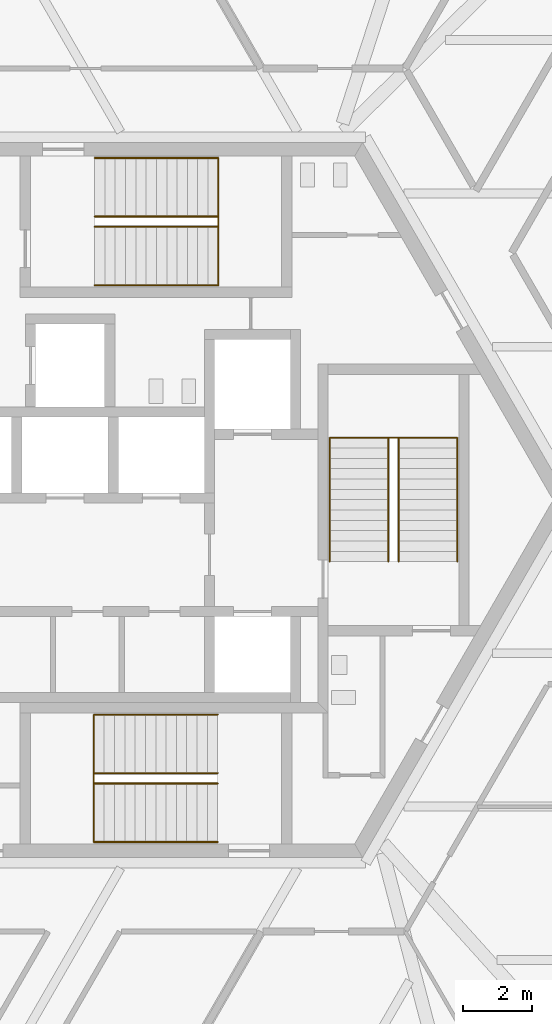
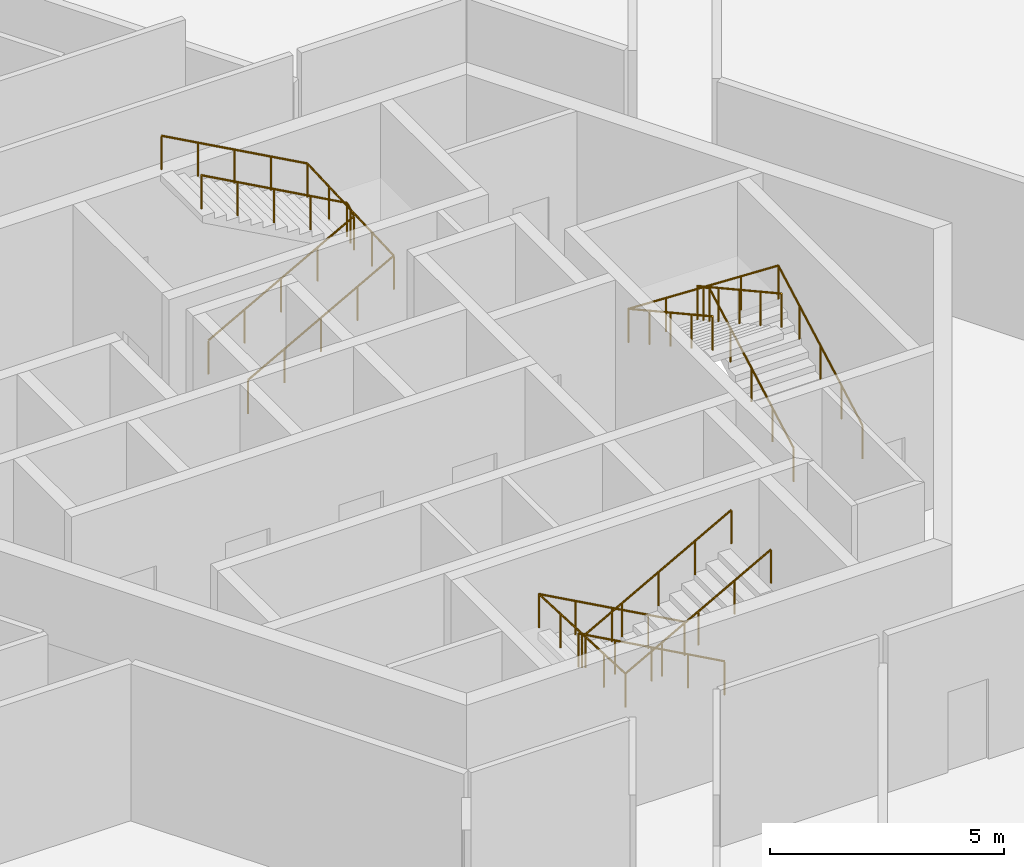
# One storey, part 15 of 16: 6 railings.
"""IFC4 building model written with IfcOpenShell, lengths in metres."""

import ifcopenshell
import ifcopenshell.guid

model = None  # the IFC model being written
_history = None  # IfcOwnerHistory: only IFC2X3 demands one
_inside = {}  # id of a spatial element -> (the spatial element, [elements in it])
_under = {}  # id of a project, library or spatial element -> (it, [spatial elements below it])
_declared = {}  # id of a project -> (the project, [libraries it declares])
_typed = {}  # id of a type object -> (the type object, [elements of that type])
_made_of = {}  # id of a material, layer set ... -> (it, [elements and type objects made of it])


def new_model(schema):
    """Start an empty IFC model of exactly this schema.

    Asked for "IFC4X3", IfcOpenShell would pick the latest addendum, in which some entities
    have other attributes; the version numbers below select the first issue.
    IFC2X3 requires an IfcOwnerHistory on every rooted entity: one is made here for all.
    """
    global model, _history
    if schema == "IFC4X3":
        model = ifcopenshell.file(schema_version=(4, 3, 0, 0))
    else:
        model = ifcopenshell.file(schema=schema)
    _inside.clear()
    _under.clear()
    _declared.clear()
    _typed.clear()
    _made_of.clear()
    _history = None
    if model.schema == "IFC2X3":
        org = make("IfcOrganization", Name="unknown")
        user = make(
            "IfcPersonAndOrganization",
            ThePerson=make("IfcPerson", FamilyName="unknown"),
            TheOrganization=org,
        )
        app = make(
            "IfcApplication",
            ApplicationDeveloper=org,
            Version="unknown",
            ApplicationFullName="unknown",
            ApplicationIdentifier="unknown",
        )
        _history = make(
            "IfcOwnerHistory",
            OwningUser=user,
            OwningApplication=app,
            ChangeAction="ADDED",
            CreationDate=0,
        )
    return model


def make(cls, **values):
    """One entity of the class cls with the attributes given. An attribute that is None is left unset."""
    return model.create_entity(
        cls, **{name: value for name, value in values.items() if value is not None}
    )


def rooted(cls, **values):
    """An entity with a GlobalId (a new one), such as an element, a storey or a relation."""
    return make(cls, GlobalId=ifcopenshell.guid.new(), OwnerHistory=_history, **values)


def si_unit(unit_type, name, prefix=None):
    """IfcSIUnit, for example si_unit("LENGTHUNIT", "METRE", prefix="MILLI")."""
    return make("IfcSIUnit", UnitType=unit_type, Prefix=prefix, Name=name)


def assignment(units):
    """IfcUnitAssignment: the units of a project."""
    return None if units is None else make("IfcUnitAssignment", Units=units)


def point(xyz):
    """IfcCartesianPoint."""
    return None if xyz is None else make("IfcCartesianPoint", Coordinates=xyz)


def direction(xyz):
    """IfcDirection."""
    return None if xyz is None else make("IfcDirection", DirectionRatios=xyz)


def frame(location, z_axis=None, x_axis=None):
    """IfcAxis2Placement3D, a coordinate frame: its origin and axes. An axis left out is left unset."""
    return make(
        "IfcAxis2Placement3D",
        Location=point(location),
        Axis=direction(z_axis),
        RefDirection=direction(x_axis),
    )


def frame_2d(location, x_axis=None):
    """IfcAxis2Placement2D, a coordinate frame in the plane: its origin and x axis."""
    return make(
        "IfcAxis2Placement2D", Location=point(location), RefDirection=direction(x_axis)
    )


def origin():
    """The frame at (0, 0, 0) with its axes left unset."""
    return frame((0.0, 0.0, 0.0))


def origin_2d():
    """The frame at (0, 0) in the plane with its x axis left unset."""
    return frame_2d((0.0, 0.0))


def place(relative_to, where):
    """IfcLocalPlacement: puts the frame where relative to a parent placement (None: the world)."""
    return make(
        "IfcLocalPlacement", PlacementRelTo=relative_to, RelativePlacement=where
    )


def context(
    kind, dimensions, precision=None, world=None, true_north=None, identifier=None
):
    """IfcGeometricRepresentationContext, for example the 3D "Model" context."""
    return make(
        "IfcGeometricRepresentationContext",
        ContextIdentifier=identifier,
        ContextType=kind,
        CoordinateSpaceDimension=dimensions,
        Precision=precision,
        WorldCoordinateSystem=world,
        TrueNorth=true_north,
    )


def subcontext(parent, identifier, kind, view, scale=None):
    """IfcGeometricRepresentationSubContext, for example "Body" below "Model"."""
    return make(
        "IfcGeometricRepresentationSubContext",
        ContextIdentifier=identifier,
        ContextType=kind,
        ParentContext=parent,
        TargetScale=scale,
        TargetView=view,
    )


def project(units=None, contexts=None):
    """IfcProject with its units and contexts."""
    return rooted(
        "IfcProject",
        Name="project",
        RepresentationContexts=contexts,
        UnitsInContext=assignment(units),
    )


def spatial(cls, under=None, at=None, **own):
    """A site, building, storey or space (cls), placed at a placement, below another one or the project."""
    s = rooted(cls, ObjectPlacement=at, **own)
    if under is not None:
        _under.setdefault(under.id(), (under, []))[1].append(s)
    return s


def profile(cls, at=None, kind="AREA", **sizes):
    """A parametric profile (cls). Its sizes go by their IFC names, for example OverallWidth=200.0."""
    return make(cls, ProfileType=kind, Position=at, **sizes)


def circle(**sizes):
    """IfcCircleProfileDef."""
    return profile("IfcCircleProfileDef", **sizes)


def extrude(swept, where, along, depth):
    """IfcExtrudedAreaSolid: the profile swept, set in the frame where, extruded along a direction by depth."""
    return make(
        "IfcExtrudedAreaSolid",
        SweptArea=swept,
        Position=where,
        ExtrudedDirection=direction(along),
        Depth=depth,
    )


def shape(context_of_items, identifier, shape_type, items):
    """IfcShapeRepresentation: the items that make up one representation, for example the "Body"."""
    return make(
        "IfcShapeRepresentation",
        ContextOfItems=context_of_items,
        RepresentationIdentifier=identifier,
        RepresentationType=shape_type,
        Items=items,
    )


def source(mapping_origin, context_of_items, identifier, shape_type, items):
    """IfcRepresentationMap: a shape defined once, which mapped items show again and again."""
    return make(
        "IfcRepresentationMap",
        MappingOrigin=mapping_origin,
        MappedRepresentation=shape(context_of_items, identifier, shape_type, items),
    )


def transform(
    local_origin,
    x_axis=None,
    y_axis=None,
    z_axis=None,
    scale=None,
    scale2=None,
    scale3=None,
    uniform=True,
):
    """IfcCartesianTransformationOperator3D, or its non-uniform kind. x_axis, y_axis, z_axis: its Axis1, 2, 3."""
    if uniform:
        return make(
            "IfcCartesianTransformationOperator3D",
            Axis1=direction(x_axis),
            Axis2=direction(y_axis),
            LocalOrigin=point(local_origin),
            Scale=scale,
            Axis3=direction(z_axis),
        )
    return make(
        "IfcCartesianTransformationOperator3DnonUniform",
        Axis1=direction(x_axis),
        Axis2=direction(y_axis),
        LocalOrigin=point(local_origin),
        Scale=scale,
        Axis3=direction(z_axis),
        Scale2=scale2,
        Scale3=scale3,
    )


def mapped(mapping_source, mapping_target):
    """IfcMappedItem: shows the shape of a source again, moved by a transform."""
    return make(
        "IfcMappedItem", MappingSource=mapping_source, MappingTarget=mapping_target
    )


def material(Name=None, Category=None):
    """IfcMaterial."""
    return make("IfcMaterial", Name=Name, Category=Category)


def made_of(thing, what):
    """Note that an element or type object is made of a material, layer set ...; save() writes the relation."""
    if what is not None:
        _made_of.setdefault(what.id(), (what, []))[1].append(thing)
    return thing


def type_object(cls, material=None, **own):
    """A type object (cls), such as IfcWallType, which elements share."""
    return made_of(rooted(cls, **own), material)


def element(
    cls,
    number,
    at=None,
    inside=None,
    cuts=None,
    type_object=None,
    material=None,
    context=None,
    identifier="Body",
    shape_type=None,
    held_by="IfcProductDefinitionShape",
    body=None,
    shapes=None,
    **own,
):
    """One element of the class cls, such as IfcWall. Its Tag is "e" and its number.

    at: its placement. inside: the storey or other place that contains it. cuts: it is an
    opening in that element (IfcRelVoidsElement). A single representation is given by context,
    identifier, shape_type and body (its items); several are given by shapes. held_by: the class
    of the entity that holds the representations. save() writes the other relations.
    """
    e = rooted(cls, Tag="e%d" % number, ObjectPlacement=at, **own)
    if body is not None:
        shapes = [shape(context, identifier, shape_type, body)]
    if shapes is not None:
        e.Representation = make(held_by, Representations=shapes)
    if inside is not None:
        _inside.setdefault(inside.id(), (inside, []))[1].append(e)
    if cuts is not None:
        rooted(
            "IfcRelVoidsElement", RelatingBuildingElement=cuts, RelatedOpeningElement=e
        )
    if type_object is not None:
        _typed.setdefault(type_object.id(), (type_object, []))[1].append(e)
    return made_of(e, material)


def aggregate(whole, parts):
    """IfcRelAggregates: a whole, such as a stair, and the parts it consists of."""
    return rooted("IfcRelAggregates", RelatingObject=whole, RelatedObjects=parts)


def save(model, path):
    """Write the relations noted so far, then the file.

    IfcRelAggregates (storeys below a building ...), IfcRelContainedInSpatialStructure (elements
    in a storey), IfcRelDefinesByType, IfcRelAssociatesMaterial and IfcRelDeclares: one each for
    every whole, place, type object, material and project.
    """
    for whole, parts in _under.values():
        aggregate(whole, parts)
    for where, things in _inside.values():
        rooted(
            "IfcRelContainedInSpatialStructure",
            RelatedElements=things,
            RelatingStructure=where,
        )
    for kind, things in _typed.values():
        rooted("IfcRelDefinesByType", RelatedObjects=things, RelatingType=kind)
    for what, things in _made_of.values():
        rooted("IfcRelAssociatesMaterial", RelatedObjects=things, RelatingMaterial=what)
    for by, libraries in _declared.values():
        rooted("IfcRelDeclares", RelatingContext=by, RelatedDefinitions=libraries)
    model.write(path)


model = new_model("IFC4")

# Units and contexts
model_context = context("Model", 3, precision=1e-05, world=origin(), true_north=direction((0.0, 1.0)))
body_context = subcontext(model_context, "Body", "Model", "MODEL_VIEW")
ifc_project = project(units=[si_unit("LENGTHUNIT", "METRE"), si_unit("AREAUNIT", "SQUARE_METRE"), si_unit("VOLUMEUNIT", "CUBIC_METRE"), si_unit("PLANEANGLEUNIT", "RADIAN"), si_unit("MASSUNIT", "GRAM", prefix="KILO")], contexts=[model_context])

# Site, building, storey
site_placement = place(None, origin())
site = spatial("IfcSite", under=ifc_project, at=site_placement, CompositionType="ELEMENT")
building_placement = place(site_placement, origin())
building = spatial("IfcBuilding", under=site, at=building_placement, Name="Triune Harvest Tower", CompositionType="ELEMENT")
storey_placement = place(building_placement, frame((0.0, 0.0, 20.300048828125)))
storey = spatial("IfcBuildingStorey", under=building, at=storey_placement, Name="L04", CompositionType="ELEMENT", Elevation=20.300048828125)

# Railings
ifc_material = material(Name="Stainless steel AISI 316", Category="steel")
railing_type = type_object("IfcRailingType", Name="Stair handrail", PredefinedType="HANDRAIL", material=ifc_material)
shared_shape_1 = source(origin(), body_context, "Body", "SweptSolid", [
    extrude(circle(Radius=0.02392578125, at=origin_2d()), frame((0.0, 0.0, 0.8759765625), z_axis=(0.875746539262, 0.0, 0.482771166259), x_axis=(0.0, 1.0, 0.0)), (0.0, 0.0, 1.0), 4.11083984375),
    extrude(circle(Radius=0.02392578125, at=origin_2d()), frame((3.60009765625, 0.0, 2.8603515625), z_axis=(0.0, 0.999000768331, 0.04469300699), x_axis=(-1.0, 0.0, 0.0)), (0.0, 0.0, 1.0), 3.70361328125),
    extrude(circle(Radius=0.02392578125, at=origin_2d()), frame((3.60009765625, 3.699951171875, 3.02587890625), z_axis=(-0.875746539262, 0.0, 0.482771166259), x_axis=(0.0, -1.0, 0.0)), (0.0, 0.0, 1.0), 4.11083984375),
    extrude(circle(Radius=0.02099609375, at=origin_2d()), origin(), (0.0, 0.0, 1.0), 0.851806640625),
    extrude(circle(Radius=0.02099609375, at=origin_2d()), frame((0.89990234375, 0.0, 0.49609375)), (0.0, 0.0, 1.0), 0.851806640625),
    extrude(circle(Radius=0.02099609375, at=origin_2d()), frame((1.800048828125, 0.0, 0.9921875)), (0.0, 0.0, 1.0), 0.851806640625),
    extrude(circle(Radius=0.02099609375, at=origin_2d()), frame((2.7001953125, 0.0, 1.488525390625)), (0.0, 0.0, 1.0), 0.851806640625),
    extrude(circle(Radius=0.02099609375, at=origin_2d()), frame((3.60009765625, 0.0, 1.984619140625)), (0.0, 0.0, 1.0), 0.851806640625),
    extrude(circle(Radius=0.02099609375, at=origin_2d()), frame((3.60009765625, 0.925048828125, 2.02587890625)), (0.0, 0.0, 1.0), 0.851806640625),
    extrude(circle(Radius=0.02099609375, at=origin_2d()), frame((3.60009765625, 1.85009765625, 2.0673828125)), (0.0, 0.0, 1.0), 0.851806640625),
    extrude(circle(Radius=0.02099609375, at=origin_2d()), frame((3.60009765625, 2.77490234375, 2.10888671875)), (0.0, 0.0, 1.0), 0.851806640625),
    extrude(circle(Radius=0.02099609375, at=origin_2d()), frame((3.60009765625, 3.699951171875, 2.150146484375)), (0.0, 0.0, 1.0), 0.851806640625),
    extrude(circle(Radius=0.02099609375, at=origin_2d()), frame((2.7001953125, 3.699951171875, 2.646240234375)), (0.0, 0.0, 1.0), 0.851806640625),
    extrude(circle(Radius=0.02099609375, at=origin_2d()), frame((1.800048828125, 3.699951171875, 3.142578125)), (0.0, 0.0, 1.0), 0.851806640625),
    extrude(circle(Radius=0.02099609375, at=origin_2d()), frame((0.89990234375, 3.699951171875, 3.638671875)), (0.0, 0.0, 1.0), 0.851806640625),
    extrude(circle(Radius=0.02099609375, at=origin_2d()), frame((0.0, 3.699951171875, 4.134765625)), (0.0, 0.0, 1.0), 0.851806640625),
])
railing_1_placement = place(storey_placement, frame((-1.7900390625, 6.239990234375, 0.165283203125)))
element("IfcRailing", 1, at=railing_1_placement, inside=storey, type_object=railing_type, Name="Exit stair north wall handrail", PredefinedType="HANDRAIL", context=body_context, shape_type="MappedRepresentation", body=[
    mapped(shared_shape_1, transform((0.0, 0.0, 0.0), scale=1.0)),
])
shared_shape_2 = source(origin(), body_context, "Body", "SweptSolid", [
    extrude(circle(Radius=0.02392578125, at=origin_2d()), frame((0.0, 0.0, 0.8759765625), z_axis=(0.875746539262, 0.0, 0.482771166259), x_axis=(0.0, 1.0, 0.0)), (0.0, 0.0, 1.0), 4.11083984375),
    extrude(circle(Radius=0.02392578125, at=origin_2d()), frame((3.60009765625, 0.0, 2.8603515625), z_axis=(0.0, 0.875598465653, 0.483039674298), x_axis=(-1.0, 0.0, 0.0)), (0.0, 0.0, 1.0), 0.3427734375),
    extrude(circle(Radius=0.02392578125, at=origin_2d()), frame((3.60009765625, 0.300048828125, 3.02587890625), z_axis=(-0.875746539262, 0.0, 0.482771166259), x_axis=(0.0, -1.0, 0.0)), (0.0, 0.0, 1.0), 4.11083984375),
    extrude(circle(Radius=0.02099609375, at=origin_2d()), origin(), (0.0, 0.0, 1.0), 0.851806640625),
    extrude(circle(Radius=0.02099609375, at=origin_2d()), frame((0.89990234375, 0.0, 0.49609375)), (0.0, 0.0, 1.0), 0.851806640625),
    extrude(circle(Radius=0.02099609375, at=origin_2d()), frame((1.800048828125, 0.0, 0.9921875)), (0.0, 0.0, 1.0), 0.851806640625),
    extrude(circle(Radius=0.02099609375, at=origin_2d()), frame((2.7001953125, 0.0, 1.488525390625)), (0.0, 0.0, 1.0), 0.851806640625),
    extrude(circle(Radius=0.02099609375, at=origin_2d()), frame((3.60009765625, 0.0, 1.984619140625)), (0.0, 0.0, 1.0), 0.851806640625),
    extrude(circle(Radius=0.02099609375, at=origin_2d()), frame((3.60009765625, 0.300048828125, 2.150146484375)), (0.0, 0.0, 1.0), 0.851806640625),
    extrude(circle(Radius=0.02099609375, at=origin_2d()), frame((2.7001953125, 0.300048828125, 2.646240234375)), (0.0, 0.0, 1.0), 0.851806640625),
    extrude(circle(Radius=0.02099609375, at=origin_2d()), frame((1.800048828125, 0.300048828125, 3.142578125)), (0.0, 0.0, 1.0), 0.851806640625),
    extrude(circle(Radius=0.02099609375, at=origin_2d()), frame((0.89990234375, 0.300048828125, 3.638671875)), (0.0, 0.0, 1.0), 0.851806640625),
    extrude(circle(Radius=0.02099609375, at=origin_2d()), frame((0.0, 0.300048828125, 4.134765625)), (0.0, 0.0, 1.0), 0.851806640625),
])
railing_2_placement = place(storey_placement, frame((-1.7900390625, 7.93994140625, 0.165283203125)))
element("IfcRailing", 2, at=railing_2_placement, inside=storey, type_object=railing_type, Name="Exit stair north centre handrail", PredefinedType="HANDRAIL", context=body_context, shape_type="MappedRepresentation", body=[
    mapped(shared_shape_2, transform((0.0, 0.0, 0.0), scale=1.0)),
])
shared_shape_3 = source(origin(), body_context, "Body", "SweptSolid", [
    extrude(circle(Radius=0.02392578125, at=origin_2d()), frame((0.0, 0.0, 0.8759765625), z_axis=(-0.875746539262, 0.0, 0.482771166259), x_axis=(0.0, -1.0, 0.0)), (0.0, 0.0, 1.0), 4.11083984375),
    extrude(circle(Radius=0.02392578125, at=origin_2d()), frame((-3.60009765625, 0.0, 2.8603515625), z_axis=(0.0, -0.999000768331, 0.04469300699), x_axis=(1.0, 0.0, 0.0)), (0.0, 0.0, 1.0), 3.70361328125),
    extrude(circle(Radius=0.02392578125, at=origin_2d()), frame((-3.60009765625, -3.699951171875, 3.02587890625), z_axis=(0.875746539262, 0.0, 0.482771166259), x_axis=(0.0, 1.0, 0.0)), (0.0, 0.0, 1.0), 4.11083984375),
    extrude(circle(Radius=0.02099609375, at=origin_2d()), origin(), (0.0, 0.0, 1.0), 0.851806640625),
    extrude(circle(Radius=0.02099609375, at=origin_2d()), frame((-0.89990234375, 0.0, 0.49609375)), (0.0, 0.0, 1.0), 0.851806640625),
    extrude(circle(Radius=0.02099609375, at=origin_2d()), frame((-1.800048828125, 0.0, 0.9921875)), (0.0, 0.0, 1.0), 0.851806640625),
    extrude(circle(Radius=0.02099609375, at=origin_2d()), frame((-2.7001953125, 0.0, 1.488525390625)), (0.0, 0.0, 1.0), 0.851806640625),
    extrude(circle(Radius=0.02099609375, at=origin_2d()), frame((-3.60009765625, 0.0, 1.984619140625)), (0.0, 0.0, 1.0), 0.851806640625),
    extrude(circle(Radius=0.02099609375, at=origin_2d()), frame((-3.60009765625, -0.925048828125, 2.02587890625)), (0.0, 0.0, 1.0), 0.851806640625),
    extrude(circle(Radius=0.02099609375, at=origin_2d()), frame((-3.60009765625, -1.85009765625, 2.0673828125)), (0.0, 0.0, 1.0), 0.851806640625),
    extrude(circle(Radius=0.02099609375, at=origin_2d()), frame((-3.60009765625, -2.77490234375, 2.10888671875)), (0.0, 0.0, 1.0), 0.851806640625),
    extrude(circle(Radius=0.02099609375, at=origin_2d()), frame((-3.60009765625, -3.699951171875, 2.150146484375)), (0.0, 0.0, 1.0), 0.851806640625),
    extrude(circle(Radius=0.02099609375, at=origin_2d()), frame((-2.7001953125, -3.699951171875, 2.646240234375)), (0.0, 0.0, 1.0), 0.851806640625),
    extrude(circle(Radius=0.02099609375, at=origin_2d()), frame((-1.800048828125, -3.699951171875, 3.142578125)), (0.0, 0.0, 1.0), 0.851806640625),
    extrude(circle(Radius=0.02099609375, at=origin_2d()), frame((-0.89990234375, -3.699951171875, 3.638671875)), (0.0, 0.0, 1.0), 0.851806640625),
    extrude(circle(Radius=0.02099609375, at=origin_2d()), frame((0.0, -3.699951171875, 4.134765625)), (0.0, 0.0, 1.0), 0.851806640625),
])
railing_3_placement = place(storey_placement, frame((1.7900390625, -6.239990234375, 0.165283203125)))
element("IfcRailing", 3, at=railing_3_placement, inside=storey, type_object=railing_type, Name="Exit stair south wall handrail", PredefinedType="HANDRAIL", context=body_context, shape_type="MappedRepresentation", body=[
    mapped(shared_shape_3, transform((0.0, 0.0, 0.0), scale=1.0)),
])
shared_shape_4 = source(origin(), body_context, "Body", "SweptSolid", [
    extrude(circle(Radius=0.02392578125, at=origin_2d()), frame((0.0, 0.0, 0.8759765625), z_axis=(-0.875746539262, 0.0, 0.482771166259), x_axis=(0.0, -1.0, 0.0)), (0.0, 0.0, 1.0), 4.11083984375),
    extrude(circle(Radius=0.02392578125, at=origin_2d()), frame((-3.60009765625, 0.0, 2.8603515625), z_axis=(0.0, -0.875598465653, 0.483039674298), x_axis=(1.0, 0.0, 0.0)), (0.0, 0.0, 1.0), 0.3427734375),
    extrude(circle(Radius=0.02392578125, at=origin_2d()), frame((-3.60009765625, -0.300048828125, 3.02587890625), z_axis=(0.875746539262, 0.0, 0.482771166259), x_axis=(0.0, 1.0, 0.0)), (0.0, 0.0, 1.0), 4.11083984375),
    extrude(circle(Radius=0.02099609375, at=origin_2d()), origin(), (0.0, 0.0, 1.0), 0.851806640625),
    extrude(circle(Radius=0.02099609375, at=origin_2d()), frame((-0.89990234375, 0.0, 0.49609375)), (0.0, 0.0, 1.0), 0.851806640625),
    extrude(circle(Radius=0.02099609375, at=origin_2d()), frame((-1.800048828125, 0.0, 0.9921875)), (0.0, 0.0, 1.0), 0.851806640625),
    extrude(circle(Radius=0.02099609375, at=origin_2d()), frame((-2.7001953125, 0.0, 1.488525390625)), (0.0, 0.0, 1.0), 0.851806640625),
    extrude(circle(Radius=0.02099609375, at=origin_2d()), frame((-3.60009765625, 0.0, 1.984619140625)), (0.0, 0.0, 1.0), 0.851806640625),
    extrude(circle(Radius=0.02099609375, at=origin_2d()), frame((-3.60009765625, -0.300048828125, 2.150146484375)), (0.0, 0.0, 1.0), 0.851806640625),
    extrude(circle(Radius=0.02099609375, at=origin_2d()), frame((-2.7001953125, -0.300048828125, 2.646240234375)), (0.0, 0.0, 1.0), 0.851806640625),
    extrude(circle(Radius=0.02099609375, at=origin_2d()), frame((-1.800048828125, -0.300048828125, 3.142578125)), (0.0, 0.0, 1.0), 0.851806640625),
    extrude(circle(Radius=0.02099609375, at=origin_2d()), frame((-0.89990234375, -0.300048828125, 3.638671875)), (0.0, 0.0, 1.0), 0.851806640625),
    extrude(circle(Radius=0.02099609375, at=origin_2d()), frame((0.0, -0.300048828125, 4.134765625)), (0.0, 0.0, 1.0), 0.851806640625),
])
railing_4_placement = place(storey_placement, frame((1.7900390625, -7.93994140625, 0.165283203125)))
element("IfcRailing", 4, at=railing_4_placement, inside=storey, type_object=railing_type, Name="Exit stair south centre handrail", PredefinedType="HANDRAIL", context=body_context, shape_type="MappedRepresentation", body=[
    mapped(shared_shape_4, transform((0.0, 0.0, 0.0), scale=1.0)),
])
shared_shape_5 = source(origin(), body_context, "Body", "SweptSolid", [
    extrude(circle(Radius=0.02392578125, at=origin_2d()), frame((0.0, 0.0, 0.8759765625), z_axis=(0.0, 0.875746539262, 0.482771166259), x_axis=(-1.0, 0.0, 0.0)), (0.0, 0.0, 1.0), 4.11083984375),
    extrude(circle(Radius=0.02392578125, at=origin_2d()), frame((0.0, 3.60009765625, 2.8603515625), z_axis=(-0.999000768331, 0.0, 0.04469300699), x_axis=(0.0, -1.0, 0.0)), (0.0, 0.0, 1.0), 3.70361328125),
    extrude(circle(Radius=0.02392578125, at=origin_2d()), frame((-3.699951171875, 3.60009765625, 3.02587890625), z_axis=(0.0, -0.875746539262, 0.482771166259), x_axis=(1.0, 0.0, 0.0)), (0.0, 0.0, 1.0), 4.11083984375),
    extrude(circle(Radius=0.02099609375, at=origin_2d()), origin(), (0.0, 0.0, 1.0), 0.851806640625),
    extrude(circle(Radius=0.02099609375, at=origin_2d()), frame((0.0, 0.89990234375, 0.49609375)), (0.0, 0.0, 1.0), 0.851806640625),
    extrude(circle(Radius=0.02099609375, at=origin_2d()), frame((0.0, 1.800048828125, 0.9921875)), (0.0, 0.0, 1.0), 0.851806640625),
    extrude(circle(Radius=0.02099609375, at=origin_2d()), frame((0.0, 2.7001953125, 1.488525390625)), (0.0, 0.0, 1.0), 0.851806640625),
    extrude(circle(Radius=0.02099609375, at=origin_2d()), frame((0.0, 3.60009765625, 1.984619140625)), (0.0, 0.0, 1.0), 0.851806640625),
    extrude(circle(Radius=0.02099609375, at=origin_2d()), frame((-0.925048828125, 3.60009765625, 2.02587890625)), (0.0, 0.0, 1.0), 0.851806640625),
    extrude(circle(Radius=0.02099609375, at=origin_2d()), frame((-1.85009765625, 3.60009765625, 2.0673828125)), (0.0, 0.0, 1.0), 0.851806640625),
    extrude(circle(Radius=0.02099609375, at=origin_2d()), frame((-2.77490234375, 3.60009765625, 2.10888671875)), (0.0, 0.0, 1.0), 0.851806640625),
    extrude(circle(Radius=0.02099609375, at=origin_2d()), frame((-3.699951171875, 3.60009765625, 2.150146484375)), (0.0, 0.0, 1.0), 0.851806640625),
    extrude(circle(Radius=0.02099609375, at=origin_2d()), frame((-3.699951171875, 2.7001953125, 2.646240234375)), (0.0, 0.0, 1.0), 0.851806640625),
    extrude(circle(Radius=0.02099609375, at=origin_2d()), frame((-3.699951171875, 1.800048828125, 3.142578125)), (0.0, 0.0, 1.0), 0.851806640625),
    extrude(circle(Radius=0.02099609375, at=origin_2d()), frame((-3.699951171875, 0.89990234375, 3.638671875)), (0.0, 0.0, 1.0), 0.851806640625),
    extrude(circle(Radius=0.02099609375, at=origin_2d()), frame((-3.699951171875, 0.0, 4.134765625)), (0.0, 0.0, 1.0), 0.851806640625),
])
railing_5_placement = place(storey_placement, frame((8.75, -1.7900390625, 0.165283203125)))
element("IfcRailing", 5, at=railing_5_placement, inside=storey, type_object=railing_type, Name="Exit stair east wall handrail", PredefinedType="HANDRAIL", context=body_context, shape_type="MappedRepresentation", body=[
    mapped(shared_shape_5, transform((0.0, 0.0, 0.0), scale=1.0)),
])
shared_shape_6 = source(origin(), body_context, "Body", "SweptSolid", [
    extrude(circle(Radius=0.02392578125, at=origin_2d()), frame((0.0, 0.0, 0.8759765625), z_axis=(0.0, 0.875746539262, 0.482771166259), x_axis=(-1.0, 0.0, 0.0)), (0.0, 0.0, 1.0), 4.11083984375),
    extrude(circle(Radius=0.02392578125, at=origin_2d()), frame((0.0, 3.60009765625, 2.8603515625), z_axis=(-0.875598465653, 0.0, 0.483039674298), x_axis=(0.0, -1.0, 0.0)), (0.0, 0.0, 1.0), 0.3427734375),
    extrude(circle(Radius=0.02392578125, at=origin_2d()), frame((-0.300048828125, 3.60009765625, 3.02587890625), z_axis=(0.0, -0.875746539262, 0.482771166259), x_axis=(1.0, 0.0, 0.0)), (0.0, 0.0, 1.0), 4.11083984375),
    extrude(circle(Radius=0.02099609375, at=origin_2d()), origin(), (0.0, 0.0, 1.0), 0.851806640625),
    extrude(circle(Radius=0.02099609375, at=origin_2d()), frame((0.0, 0.89990234375, 0.49609375)), (0.0, 0.0, 1.0), 0.851806640625),
    extrude(circle(Radius=0.02099609375, at=origin_2d()), frame((0.0, 1.800048828125, 0.9921875)), (0.0, 0.0, 1.0), 0.851806640625),
    extrude(circle(Radius=0.02099609375, at=origin_2d()), frame((0.0, 2.7001953125, 1.488525390625)), (0.0, 0.0, 1.0), 0.851806640625),
    extrude(circle(Radius=0.02099609375, at=origin_2d()), frame((0.0, 3.60009765625, 1.984619140625)), (0.0, 0.0, 1.0), 0.851806640625),
    extrude(circle(Radius=0.02099609375, at=origin_2d()), frame((-0.300048828125, 3.60009765625, 2.150146484375)), (0.0, 0.0, 1.0), 0.851806640625),
    extrude(circle(Radius=0.02099609375, at=origin_2d()), frame((-0.300048828125, 2.7001953125, 2.646240234375)), (0.0, 0.0, 1.0), 0.851806640625),
    extrude(circle(Radius=0.02099609375, at=origin_2d()), frame((-0.300048828125, 1.800048828125, 3.142578125)), (0.0, 0.0, 1.0), 0.851806640625),
    extrude(circle(Radius=0.02099609375, at=origin_2d()), frame((-0.300048828125, 0.89990234375, 3.638671875)), (0.0, 0.0, 1.0), 0.851806640625),
    extrude(circle(Radius=0.02099609375, at=origin_2d()), frame((-0.300048828125, 0.0, 4.134765625)), (0.0, 0.0, 1.0), 0.851806640625),
])
railing_6_placement = place(storey_placement, frame((7.050048828125, -1.7900390625, 0.165283203125)))
element("IfcRailing", 6, at=railing_6_placement, inside=storey, type_object=railing_type, Name="Exit stair east centre handrail", PredefinedType="HANDRAIL", context=body_context, shape_type="MappedRepresentation", body=[
    mapped(shared_shape_6, transform((0.0, 0.0, 0.0), scale=1.0)),
])

save(model, "model.ifc")
